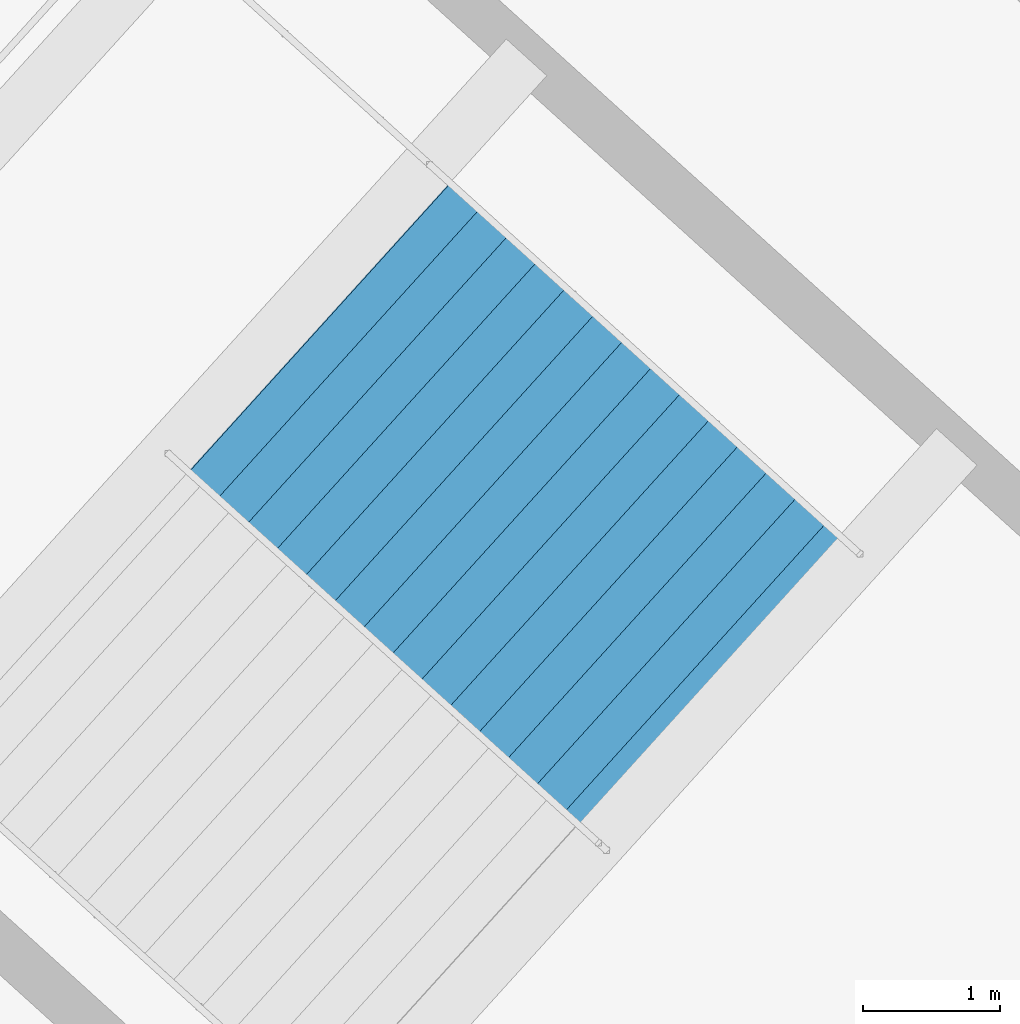
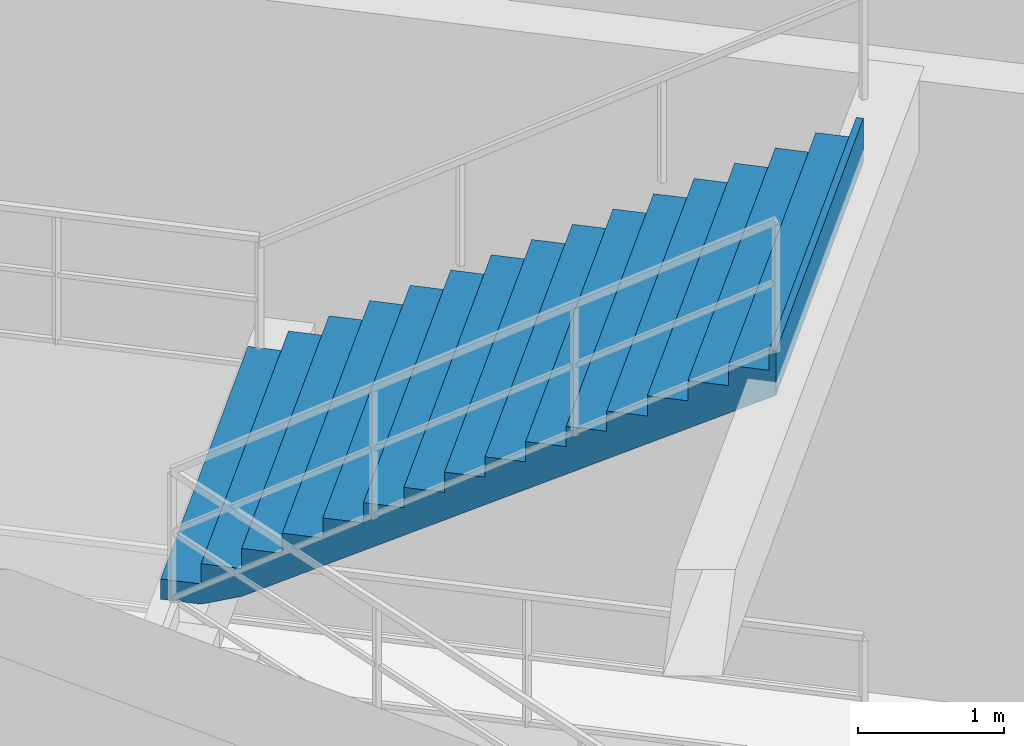
# One storey, part 96 of 103: 1 stair flight, 1 element without a shape of its own.
"""IFC4 building model written with IfcOpenShell, lengths in metres."""

from ifc_helpers import new_model, si_unit, direction, frame, origin, place, context, subcontext, project, spatial, polygons, material, type_object, element, aggregate, save


model = new_model("IFC4")

# Units and contexts
model_context = context("Model", 3, precision=1e-05, world=origin(), true_north=direction((0.0, 1.0)))
body_context = subcontext(model_context, "Body", "Model", "MODEL_VIEW")
ifc_project = project(units=[si_unit("LENGTHUNIT", "METRE"), si_unit("AREAUNIT", "SQUARE_METRE"), si_unit("VOLUMEUNIT", "CUBIC_METRE"), si_unit("PLANEANGLEUNIT", "RADIAN"), si_unit("MASSUNIT", "GRAM", prefix="KILO")], contexts=[model_context])

# Site, building, storey
site_placement = place(None, origin())
site = spatial("IfcSite", under=ifc_project, at=site_placement, CompositionType="ELEMENT")
building_placement = place(site_placement, origin())
building = spatial("IfcBuilding", under=site, at=building_placement, Name="Kazemori Nagisa Stadium", CompositionType="ELEMENT")
storey_placement = place(building_placement, frame((0.0, 0.0, 25.840087890625)))
storey = spatial("IfcBuildingStorey", under=building, at=storey_placement, Name="L05", CompositionType="ELEMENT", Elevation=25.840087890625)

# Stair, stair flight
ifc_material = material(Name="Concrete C36/45 (Fc36)", Category="concrete")
stair_type = type_object("IfcStairType", Name="Stair_CORE_32", PredefinedType="TWO_STRAIGHT_RUN_STAIR", material=ifc_material)
stair_placement = place(storey_placement, origin())
stair = element("IfcStair", 1, at=stair_placement, inside=storey, type_object=stair_type, Name="Exit stair ST01 L05", PredefinedType="TWO_STRAIGHT_RUN_STAIR")
stair_flight_type = type_object("IfcStairFlightType", Name="Flight_CORE_16", PredefinedType="STRAIGHT", material=ifc_material)
stair_flight_placement = place(storey_placement, frame((190.5390625, 161.406005859375, 2.719970703125), z_axis=(0.0, 0.0, 1.0), x_axis=(0.741357156534, -0.671110696127, 0.0)))
stair_flight = element("IfcStairFlight", 2, at=stair_flight_placement, type_object=stair_flight_type, Name="Exit stair ST01 L05 flight 2", NumberOfRisers=16, NumberOfTreads=15, PredefinedType="STRAIGHT", RiserHeight=0.17, TreadLength=0.285, context=body_context, shape_type="Tessellation", body=[
    polygons([(0.0, -1.425048828125, 0.0), (0.0, -1.425048828125, 0.169921875), (0.284912109375, -1.425048828125, 0.169921875), (0.284912109375, -1.425048828125, 0.340087890625), (0.570068359375, -1.425048828125, 0.340087890625), (0.570068359375, -1.425048828125, 0.510009765625), (0.85498046875, -1.425048828125, 0.510009765625), (0.85498046875, -1.425048828125, 0.679931640625), (1.139892578125, -1.425048828125, 0.679931640625), (1.139892578125, -1.425048828125, 0.85009765625), (1.425048828125, -1.425048828125, 0.85009765625), (1.425048828125, -1.425048828125, 1.02001953125), (1.7099609375, -1.425048828125, 1.02001953125), (1.7099609375, -1.425048828125, 1.18994140625), (1.9951171875, -1.425048828125, 1.18994140625), (1.9951171875, -1.425048828125, 1.360107421875), (2.280029296875, -1.425048828125, 1.360107421875), (2.280029296875, -1.425048828125, 1.530029296875), (2.56494140625, -1.425048828125, 1.530029296875), (2.56494140625, -1.425048828125, 1.699951171875), (2.85009765625, -1.425048828125, 1.699951171875), (2.85009765625, -1.425048828125, 1.8701171875), (3.135009765625, -1.425048828125, 1.8701171875), (3.135009765625, -1.425048828125, 2.0400390625), (3.419921875, -1.425048828125, 2.0400390625), (3.419921875, -1.425048828125, 2.2099609375), (3.705078125, -1.425048828125, 2.2099609375), (3.705078125, -1.425048828125, 2.3798828125), (3.989990234375, -1.425048828125, 2.3798828125), (3.989990234375, -1.425048828125, 2.550048828125), (4.27490234375, -1.425048828125, 2.550048828125), (4.27490234375, -1.425048828125, 2.719970703125), (4.324951171875, -1.425048828125, 2.719970703125), (4.324951171875, -1.425048828125, 2.346923828125), (4.27490234375, -1.425048828125, 2.317138671875), (3.989990234375, -1.425048828125, 2.147216796875), (3.705078125, -1.425048828125, 1.977294921875), (3.419921875, -1.425048828125, 1.80712890625), (3.135009765625, -1.425048828125, 1.63720703125), (2.85009765625, -1.425048828125, 1.46728515625), (2.56494140625, -1.425048828125, 1.297119140625), (2.280029296875, -1.425048828125, 1.127197265625), (1.9951171875, -1.425048828125, 0.957275390625), (1.7099609375, -1.425048828125, 0.787109375), (1.425048828125, -1.425048828125, 0.6171875), (1.139892578125, -1.425048828125, 0.447265625), (0.85498046875, -1.425048828125, 0.277099609375), (0.570068359375, -1.425048828125, 0.107177734375), (0.284912109375, -1.425048828125, 0.0), (0.0, -0.08544921875, 0.0), (0.0, -0.08544921875, 0.169921875), (0.284912109375, -0.08544921875, 0.169921875), (0.284912109375, -0.08544921875, 0.340087890625), (0.570068359375, -0.08544921875, 0.340087890625), (0.570068359375, -0.08544921875, 0.510009765625), (0.85498046875, -0.08544921875, 0.510009765625), (0.85498046875, -0.08544921875, 0.679931640625), (1.139892578125, -0.08544921875, 0.679931640625), (1.139892578125, -0.08544921875, 0.85009765625), (1.425048828125, -0.08544921875, 0.85009765625), (1.425048828125, -0.08544921875, 1.02001953125), (1.7099609375, -0.08544921875, 1.02001953125), (1.7099609375, -0.08544921875, 1.18994140625), (1.9951171875, -0.08544921875, 1.18994140625), (1.9951171875, -0.08544921875, 1.360107421875), (2.280029296875, -0.08544921875, 1.360107421875), (2.280029296875, -0.08544921875, 1.530029296875), (2.56494140625, -0.08544921875, 1.530029296875), (2.56494140625, -0.08544921875, 1.699951171875), (2.85009765625, -0.08544921875, 1.699951171875), (2.85009765625, -0.08544921875, 1.8701171875), (3.135009765625, -0.08544921875, 1.8701171875), (3.135009765625, -0.08544921875, 2.0400390625), (3.419921875, -0.08544921875, 2.0400390625), (3.419921875, -0.08544921875, 2.2099609375), (3.705078125, -0.08544921875, 2.2099609375), (3.705078125, -0.08544921875, 2.3798828125), (3.989990234375, -0.08544921875, 2.3798828125), (3.989990234375, -0.08544921875, 2.550048828125), (4.27490234375, -0.08544921875, 2.550048828125), (4.27490234375, -0.08544921875, 2.719970703125), (4.324951171875, -0.08544921875, 2.719970703125), (4.324951171875, -0.08544921875, 2.346923828125), (4.27490234375, -0.08544921875, 2.317138671875), (3.989990234375, -0.08544921875, 2.147216796875), (3.705078125, -0.08544921875, 1.977294921875), (3.419921875, -0.08544921875, 1.80712890625), (3.135009765625, -0.08544921875, 1.63720703125), (2.85009765625, -0.08544921875, 1.46728515625), (2.56494140625, -0.08544921875, 1.297119140625), (2.280029296875, -0.08544921875, 1.127197265625), (1.9951171875, -0.08544921875, 0.957275390625), (1.7099609375, -0.08544921875, 0.787109375), (1.425048828125, -0.08544921875, 0.6171875), (1.139892578125, -0.08544921875, 0.447265625), (0.85498046875, -0.08544921875, 0.277099609375), (0.570068359375, -0.08544921875, 0.107177734375), (0.284912109375, -0.08544921875, 0.0), (0.0, 0.0, 0.0), (0.0, 0.0, 0.169921875), (0.284912109375, 0.0, 0.169921875), (0.284912109375, 0.0, 0.340087890625), (0.570068359375, 0.0, 0.340087890625), (0.570068359375, 0.0, 0.510009765625), (0.85498046875, 0.0, 0.510009765625), (0.85498046875, 0.0, 0.679931640625), (1.139892578125, 0.0, 0.679931640625), (1.139892578125, 0.0, 0.85009765625), (1.425048828125, 0.0, 0.85009765625), (1.425048828125, 0.0, 1.02001953125), (1.7099609375, 0.0, 1.02001953125), (1.7099609375, 0.0, 1.18994140625), (1.9951171875, 0.0, 1.18994140625), (1.9951171875, 0.0, 1.360107421875), (2.280029296875, 0.0, 1.360107421875), (2.280029296875, 0.0, 1.530029296875), (2.56494140625, 0.0, 1.530029296875), (2.56494140625, 0.0, 1.699951171875), (2.85009765625, 0.0, 1.699951171875), (2.85009765625, 0.0, 1.8701171875), (3.135009765625, 0.0, 1.8701171875), (3.135009765625, 0.0, 2.0400390625), (3.419921875, 0.0, 2.0400390625), (3.419921875, 0.0, 2.2099609375), (3.705078125, 0.0, 2.2099609375), (3.705078125, 0.0, 2.3798828125), (3.989990234375, 0.0, 2.3798828125), (3.989990234375, 0.0, 2.550048828125), (4.27490234375, 0.0, 2.550048828125), (4.27490234375, 0.0, 2.719970703125), (4.324951171875, 0.0, 2.719970703125), (4.324951171875, 0.0, 2.346923828125), (4.27490234375, 0.0, 2.317138671875), (3.989990234375, 0.0, 2.147216796875), (3.705078125, 0.0, 1.977294921875), (3.419921875, 0.0, 1.80712890625), (3.135009765625, 0.0, 1.63720703125), (2.85009765625, 0.0, 1.46728515625), (2.56494140625, 0.0, 1.297119140625), (2.280029296875, 0.0, 1.127197265625), (1.9951171875, 0.0, 0.957275390625), (1.7099609375, 0.0, 0.787109375), (1.425048828125, 0.0, 0.6171875), (1.139892578125, 0.0, 0.447265625), (0.85498046875, 0.0, 0.277099609375), (0.570068359375, 0.0, 0.107177734375), (0.284912109375, 0.0, 0.0), (0.0, 0.08544921875, 0.0), (0.0, 0.08544921875, 0.169921875), (0.284912109375, 0.08544921875, 0.169921875), (0.284912109375, 0.08544921875, 0.340087890625), (0.570068359375, 0.08544921875, 0.340087890625), (0.570068359375, 0.08544921875, 0.510009765625), (0.85498046875, 0.08544921875, 0.510009765625), (0.85498046875, 0.08544921875, 0.679931640625), (1.139892578125, 0.08544921875, 0.679931640625), (1.139892578125, 0.08544921875, 0.85009765625), (1.425048828125, 0.08544921875, 0.85009765625), (1.425048828125, 0.08544921875, 1.02001953125), (1.7099609375, 0.08544921875, 1.02001953125), (1.7099609375, 0.08544921875, 1.18994140625), (1.9951171875, 0.08544921875, 1.18994140625), (1.9951171875, 0.08544921875, 1.360107421875), (2.280029296875, 0.08544921875, 1.360107421875), (2.280029296875, 0.08544921875, 1.530029296875), (2.56494140625, 0.08544921875, 1.530029296875), (2.56494140625, 0.08544921875, 1.699951171875), (2.85009765625, 0.08544921875, 1.699951171875), (2.85009765625, 0.08544921875, 1.8701171875), (3.135009765625, 0.08544921875, 1.8701171875), (3.135009765625, 0.08544921875, 2.0400390625), (3.419921875, 0.08544921875, 2.0400390625), (3.419921875, 0.08544921875, 2.2099609375), (3.705078125, 0.08544921875, 2.2099609375), (3.705078125, 0.08544921875, 2.3798828125), (3.989990234375, 0.08544921875, 2.3798828125), (3.989990234375, 0.08544921875, 2.550048828125), (4.27490234375, 0.08544921875, 2.550048828125), (4.27490234375, 0.08544921875, 2.719970703125), (4.324951171875, 0.08544921875, 2.719970703125), (4.324951171875, 0.08544921875, 2.346923828125), (4.27490234375, 0.08544921875, 2.317138671875), (3.989990234375, 0.08544921875, 2.147216796875), (3.705078125, 0.08544921875, 1.977294921875), (3.419921875, 0.08544921875, 1.80712890625), (3.135009765625, 0.08544921875, 1.63720703125), (2.85009765625, 0.08544921875, 1.46728515625), (2.56494140625, 0.08544921875, 1.297119140625), (2.280029296875, 0.08544921875, 1.127197265625), (1.9951171875, 0.08544921875, 0.957275390625), (1.7099609375, 0.08544921875, 0.787109375), (1.425048828125, 0.08544921875, 0.6171875), (1.139892578125, 0.08544921875, 0.447265625), (0.85498046875, 0.08544921875, 0.277099609375), (0.570068359375, 0.08544921875, 0.107177734375), (0.284912109375, 0.08544921875, 0.0), (0.0, 1.425048828125, 0.0), (0.0, 1.425048828125, 0.169921875), (0.284912109375, 1.425048828125, 0.169921875), (0.284912109375, 1.425048828125, 0.340087890625), (0.570068359375, 1.425048828125, 0.340087890625), (0.570068359375, 1.425048828125, 0.510009765625), (0.85498046875, 1.425048828125, 0.510009765625), (0.85498046875, 1.425048828125, 0.679931640625), (1.139892578125, 1.425048828125, 0.679931640625), (1.139892578125, 1.425048828125, 0.85009765625), (1.425048828125, 1.425048828125, 0.85009765625), (1.425048828125, 1.425048828125, 1.02001953125), (1.7099609375, 1.425048828125, 1.02001953125), (1.7099609375, 1.425048828125, 1.18994140625), (1.9951171875, 1.425048828125, 1.18994140625), (1.9951171875, 1.425048828125, 1.360107421875), (2.280029296875, 1.425048828125, 1.360107421875), (2.280029296875, 1.425048828125, 1.530029296875), (2.56494140625, 1.425048828125, 1.530029296875), (2.56494140625, 1.425048828125, 1.699951171875), (2.85009765625, 1.425048828125, 1.699951171875), (2.85009765625, 1.425048828125, 1.8701171875), (3.135009765625, 1.425048828125, 1.8701171875), (3.135009765625, 1.425048828125, 2.0400390625), (3.419921875, 1.425048828125, 2.0400390625), (3.419921875, 1.425048828125, 2.2099609375), (3.705078125, 1.425048828125, 2.2099609375), (3.705078125, 1.425048828125, 2.3798828125), (3.989990234375, 1.425048828125, 2.3798828125), (3.989990234375, 1.425048828125, 2.550048828125), (4.27490234375, 1.425048828125, 2.550048828125), (4.27490234375, 1.425048828125, 2.719970703125), (4.324951171875, 1.425048828125, 2.719970703125), (4.324951171875, 1.425048828125, 2.346923828125), (4.27490234375, 1.425048828125, 2.317138671875), (3.989990234375, 1.425048828125, 2.147216796875), (3.705078125, 1.425048828125, 1.977294921875), (3.419921875, 1.425048828125, 1.80712890625), (3.135009765625, 1.425048828125, 1.63720703125), (2.85009765625, 1.425048828125, 1.46728515625), (2.56494140625, 1.425048828125, 1.297119140625), (2.280029296875, 1.425048828125, 1.127197265625), (1.9951171875, 1.425048828125, 0.957275390625), (1.7099609375, 1.425048828125, 0.787109375), (1.425048828125, 1.425048828125, 0.6171875), (1.139892578125, 1.425048828125, 0.447265625), (0.85498046875, 1.425048828125, 0.277099609375), (0.570068359375, 1.425048828125, 0.107177734375), (0.284912109375, 1.425048828125, 0.0)], [[[1, 2, 51]], [[1, 51, 50]], [[2, 3, 52]], [[2, 52, 51]], [[3, 4, 53]], [[3, 53, 52]], [[4, 5, 54]], [[4, 54, 53]], [[5, 6, 55]], [[5, 55, 54]], [[6, 7, 56]], [[6, 56, 55]], [[7, 8, 57]], [[7, 57, 56]], [[8, 9, 58]], [[8, 58, 57]], [[9, 10, 59]], [[9, 59, 58]], [[10, 11, 60]], [[10, 60, 59]], [[11, 12, 61]], [[11, 61, 60]], [[12, 13, 62]], [[12, 62, 61]], [[13, 14, 63]], [[13, 63, 62]], [[14, 15, 64]], [[14, 64, 63]], [[15, 16, 65]], [[15, 65, 64]], [[16, 17, 66]], [[16, 66, 65]], [[17, 18, 67]], [[17, 67, 66]], [[18, 19, 68]], [[18, 68, 67]], [[19, 20, 69]], [[19, 69, 68]], [[20, 21, 70]], [[20, 70, 69]], [[21, 22, 71]], [[21, 71, 70]], [[22, 23, 72]], [[22, 72, 71]], [[23, 24, 73]], [[23, 73, 72]], [[24, 25, 74]], [[24, 74, 73]], [[25, 26, 75]], [[25, 75, 74]], [[26, 27, 76]], [[26, 76, 75]], [[27, 28, 77]], [[27, 77, 76]], [[28, 29, 78]], [[28, 78, 77]], [[29, 30, 79]], [[29, 79, 78]], [[30, 31, 80]], [[30, 80, 79]], [[31, 32, 81]], [[31, 81, 80]], [[32, 33, 82]], [[32, 82, 81]], [[33, 34, 83]], [[33, 83, 82]], [[34, 35, 84]], [[34, 84, 83]], [[35, 36, 85]], [[35, 85, 84]], [[36, 37, 86]], [[36, 86, 85]], [[37, 38, 87]], [[37, 87, 86]], [[38, 39, 88]], [[38, 88, 87]], [[39, 40, 89]], [[39, 89, 88]], [[40, 41, 90]], [[40, 90, 89]], [[41, 42, 91]], [[41, 91, 90]], [[42, 43, 92]], [[42, 92, 91]], [[43, 44, 93]], [[43, 93, 92]], [[44, 45, 94]], [[44, 94, 93]], [[45, 46, 95]], [[45, 95, 94]], [[46, 47, 96]], [[46, 96, 95]], [[47, 48, 97]], [[47, 97, 96]], [[48, 49, 98]], [[48, 98, 97]], [[49, 1, 50]], [[49, 50, 98]], [[50, 51, 100]], [[50, 100, 99]], [[51, 52, 101]], [[51, 101, 100]], [[52, 53, 102]], [[52, 102, 101]], [[53, 54, 103]], [[53, 103, 102]], [[54, 55, 104]], [[54, 104, 103]], [[55, 56, 105]], [[55, 105, 104]], [[56, 57, 106]], [[56, 106, 105]], [[57, 58, 107]], [[57, 107, 106]], [[58, 59, 108]], [[58, 108, 107]], [[59, 60, 109]], [[59, 109, 108]], [[60, 61, 110]], [[60, 110, 109]], [[61, 62, 111]], [[61, 111, 110]], [[62, 63, 112]], [[62, 112, 111]], [[63, 64, 113]], [[63, 113, 112]], [[64, 65, 114]], [[64, 114, 113]], [[65, 66, 115]], [[65, 115, 114]], [[66, 67, 116]], [[66, 116, 115]], [[67, 68, 117]], [[67, 117, 116]], [[68, 69, 118]], [[68, 118, 117]], [[69, 70, 119]], [[69, 119, 118]], [[70, 71, 120]], [[70, 120, 119]], [[71, 72, 121]], [[71, 121, 120]], [[72, 73, 122]], [[72, 122, 121]], [[73, 74, 123]], [[73, 123, 122]], [[74, 75, 124]], [[74, 124, 123]], [[75, 76, 125]], [[75, 125, 124]], [[76, 77, 126]], [[76, 126, 125]], [[77, 78, 127]], [[77, 127, 126]], [[78, 79, 128]], [[78, 128, 127]], [[79, 80, 129]], [[79, 129, 128]], [[80, 81, 130]], [[80, 130, 129]], [[81, 82, 131]], [[81, 131, 130]], [[82, 83, 132]], [[82, 132, 131]], [[83, 84, 133]], [[83, 133, 132]], [[84, 85, 134]], [[84, 134, 133]], [[85, 86, 135]], [[85, 135, 134]], [[86, 87, 136]], [[86, 136, 135]], [[87, 88, 137]], [[87, 137, 136]], [[88, 89, 138]], [[88, 138, 137]], [[89, 90, 139]], [[89, 139, 138]], [[90, 91, 140]], [[90, 140, 139]], [[91, 92, 141]], [[91, 141, 140]], [[92, 93, 142]], [[92, 142, 141]], [[93, 94, 143]], [[93, 143, 142]], [[94, 95, 144]], [[94, 144, 143]], [[95, 96, 145]], [[95, 145, 144]], [[96, 97, 146]], [[96, 146, 145]], [[97, 98, 147]], [[97, 147, 146]], [[98, 50, 99]], [[98, 99, 147]], [[99, 100, 149]], [[99, 149, 148]], [[100, 101, 150]], [[100, 150, 149]], [[101, 102, 151]], [[101, 151, 150]], [[102, 103, 152]], [[102, 152, 151]], [[103, 104, 153]], [[103, 153, 152]], [[104, 105, 154]], [[104, 154, 153]], [[105, 106, 155]], [[105, 155, 154]], [[106, 107, 156]], [[106, 156, 155]], [[107, 108, 157]], [[107, 157, 156]], [[108, 109, 158]], [[108, 158, 157]], [[109, 110, 159]], [[109, 159, 158]], [[110, 111, 160]], [[110, 160, 159]], [[111, 112, 161]], [[111, 161, 160]], [[112, 113, 162]], [[112, 162, 161]], [[113, 114, 163]], [[113, 163, 162]], [[114, 115, 164]], [[114, 164, 163]], [[115, 116, 165]], [[115, 165, 164]], [[116, 117, 166]], [[116, 166, 165]], [[117, 118, 167]], [[117, 167, 166]], [[118, 119, 168]], [[118, 168, 167]], [[119, 120, 169]], [[119, 169, 168]], [[120, 121, 170]], [[120, 170, 169]], [[121, 122, 171]], [[121, 171, 170]], [[122, 123, 172]], [[122, 172, 171]], [[123, 124, 173]], [[123, 173, 172]], [[124, 125, 174]], [[124, 174, 173]], [[125, 126, 175]], [[125, 175, 174]], [[126, 127, 176]], [[126, 176, 175]], [[127, 128, 177]], [[127, 177, 176]], [[128, 129, 178]], [[128, 178, 177]], [[129, 130, 179]], [[129, 179, 178]], [[130, 131, 180]], [[130, 180, 179]], [[131, 132, 181]], [[131, 181, 180]], [[132, 133, 182]], [[132, 182, 181]], [[133, 134, 183]], [[133, 183, 182]], [[134, 135, 184]], [[134, 184, 183]], [[135, 136, 185]], [[135, 185, 184]], [[136, 137, 186]], [[136, 186, 185]], [[137, 138, 187]], [[137, 187, 186]], [[138, 139, 188]], [[138, 188, 187]], [[139, 140, 189]], [[139, 189, 188]], [[140, 141, 190]], [[140, 190, 189]], [[141, 142, 191]], [[141, 191, 190]], [[142, 143, 192]], [[142, 192, 191]], [[143, 144, 193]], [[143, 193, 192]], [[144, 145, 194]], [[144, 194, 193]], [[145, 146, 195]], [[145, 195, 194]], [[146, 147, 196]], [[146, 196, 195]], [[147, 99, 148]], [[147, 148, 196]], [[148, 149, 198]], [[148, 198, 197]], [[149, 150, 199]], [[149, 199, 198]], [[150, 151, 200]], [[150, 200, 199]], [[151, 152, 201]], [[151, 201, 200]], [[152, 153, 202]], [[152, 202, 201]], [[153, 154, 203]], [[153, 203, 202]], [[154, 155, 204]], [[154, 204, 203]], [[155, 156, 205]], [[155, 205, 204]], [[156, 157, 206]], [[156, 206, 205]], [[157, 158, 207]], [[157, 207, 206]], [[158, 159, 208]], [[158, 208, 207]], [[159, 160, 209]], [[159, 209, 208]], [[160, 161, 210]], [[160, 210, 209]], [[161, 162, 211]], [[161, 211, 210]], [[162, 163, 212]], [[162, 212, 211]], [[163, 164, 213]], [[163, 213, 212]], [[164, 165, 214]], [[164, 214, 213]], [[165, 166, 215]], [[165, 215, 214]], [[166, 167, 216]], [[166, 216, 215]], [[167, 168, 217]], [[167, 217, 216]], [[168, 169, 218]], [[168, 218, 217]], [[169, 170, 219]], [[169, 219, 218]], [[170, 171, 220]], [[170, 220, 219]], [[171, 172, 221]], [[171, 221, 220]], [[172, 173, 222]], [[172, 222, 221]], [[173, 174, 223]], [[173, 223, 222]], [[174, 175, 224]], [[174, 224, 223]], [[175, 176, 225]], [[175, 225, 224]], [[176, 177, 226]], [[176, 226, 225]], [[177, 178, 227]], [[177, 227, 226]], [[178, 179, 228]], [[178, 228, 227]], [[179, 180, 229]], [[179, 229, 228]], [[180, 181, 230]], [[180, 230, 229]], [[181, 182, 231]], [[181, 231, 230]], [[182, 183, 232]], [[182, 232, 231]], [[183, 184, 233]], [[183, 233, 232]], [[184, 185, 234]], [[184, 234, 233]], [[185, 186, 235]], [[185, 235, 234]], [[186, 187, 236]], [[186, 236, 235]], [[187, 188, 237]], [[187, 237, 236]], [[188, 189, 238]], [[188, 238, 237]], [[189, 190, 239]], [[189, 239, 238]], [[190, 191, 240]], [[190, 240, 239]], [[191, 192, 241]], [[191, 241, 240]], [[192, 193, 242]], [[192, 242, 241]], [[193, 194, 243]], [[193, 243, 242]], [[194, 195, 244]], [[194, 244, 243]], [[195, 196, 245]], [[195, 245, 244]], [[196, 148, 197]], [[196, 197, 245]], [[3, 2, 1]], [[197, 198, 199]], [[49, 3, 1]], [[197, 199, 245]], [[48, 3, 49]], [[245, 199, 244]], [[5, 3, 48]], [[244, 199, 201]], [[5, 4, 3]], [[199, 200, 201]], [[47, 5, 48]], [[244, 201, 243]], [[7, 5, 47]], [[243, 201, 203]], [[7, 6, 5]], [[201, 202, 203]], [[46, 7, 47]], [[243, 203, 242]], [[9, 7, 46]], [[242, 203, 205]], [[9, 8, 7]], [[203, 204, 205]], [[45, 9, 46]], [[242, 205, 241]], [[11, 9, 45]], [[241, 205, 207]], [[11, 10, 9]], [[205, 206, 207]], [[44, 11, 45]], [[241, 207, 240]], [[13, 11, 44]], [[240, 207, 209]], [[13, 12, 11]], [[207, 208, 209]], [[43, 13, 44]], [[240, 209, 239]], [[15, 13, 43]], [[239, 209, 211]], [[15, 14, 13]], [[209, 210, 211]], [[42, 15, 43]], [[239, 211, 238]], [[17, 15, 42]], [[238, 211, 213]], [[17, 16, 15]], [[211, 212, 213]], [[41, 17, 42]], [[238, 213, 237]], [[19, 17, 41]], [[237, 213, 215]], [[19, 18, 17]], [[213, 214, 215]], [[40, 19, 41]], [[237, 215, 236]], [[21, 19, 40]], [[236, 215, 217]], [[21, 20, 19]], [[215, 216, 217]], [[39, 21, 40]], [[236, 217, 235]], [[23, 21, 39]], [[235, 217, 219]], [[23, 22, 21]], [[217, 218, 219]], [[38, 23, 39]], [[235, 219, 234]], [[25, 23, 38]], [[234, 219, 221]], [[25, 24, 23]], [[219, 220, 221]], [[37, 25, 38]], [[234, 221, 233]], [[27, 25, 37]], [[233, 221, 223]], [[27, 26, 25]], [[221, 222, 223]], [[36, 27, 37]], [[233, 223, 232]], [[29, 27, 36]], [[232, 223, 225]], [[29, 28, 27]], [[223, 224, 225]], [[35, 29, 36]], [[232, 225, 231]], [[31, 29, 35]], [[231, 225, 227]], [[31, 30, 29]], [[225, 226, 227]], [[34, 31, 35]], [[231, 227, 230]], [[33, 31, 34]], [[230, 227, 229]], [[33, 32, 31]], [[227, 228, 229]]], closed=True),
])
aggregate(stair, [stair_flight])

save(model, "model.ifc")
